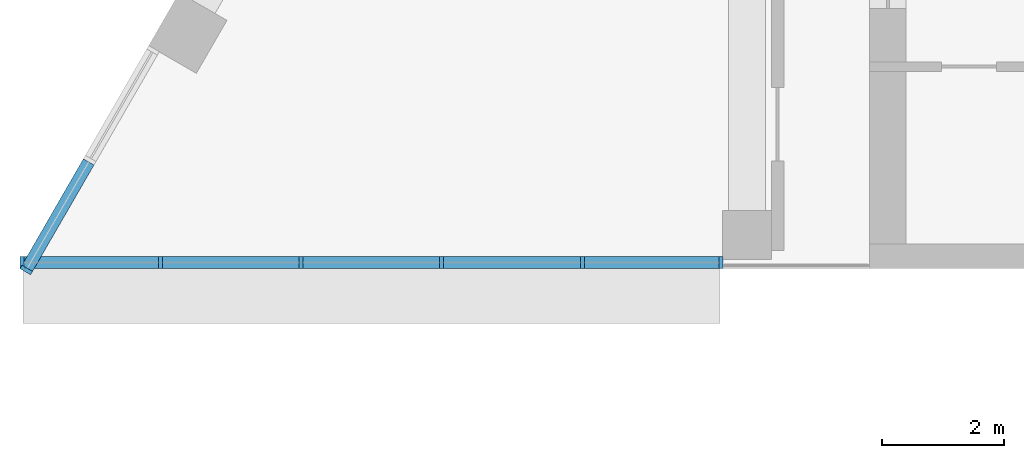
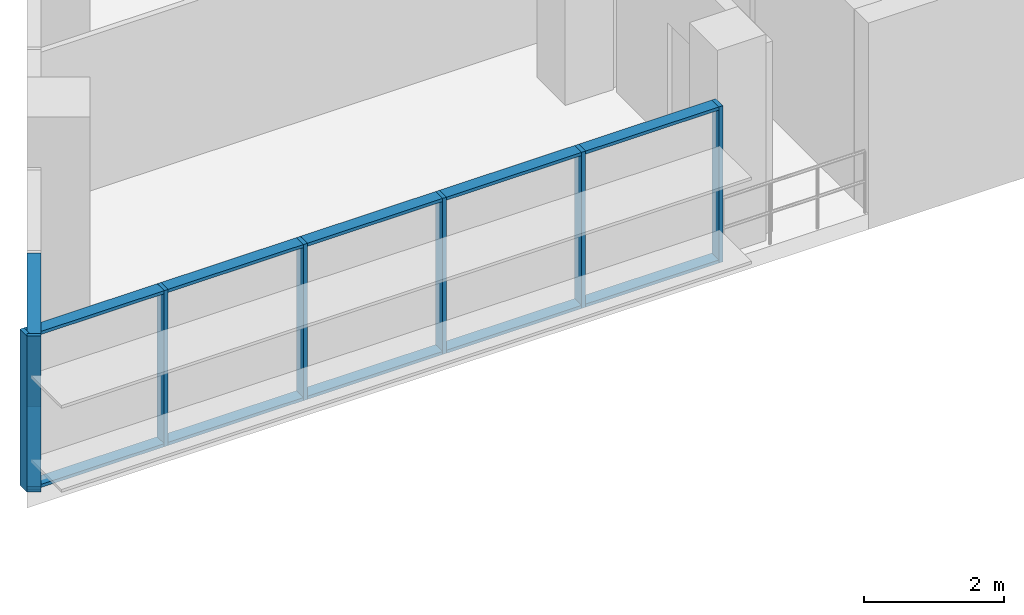
# One storey, part 2 of 13: 19 members, 2 elements without a shape of their own.
"""IFC4 building model written with IfcOpenShell, lengths in metres."""

from ifc_helpers import new_model, si_unit, direction, frame, origin, origin_2d, place, context, subcontext, project, spatial, rectangle, extrude, material, layer, layer_set, material_profile, profile_set, type_object, element, aggregate, save


model = new_model("IFC4")

# Units and contexts
model_context = context("Model", 3, precision=1e-05, world=origin(), true_north=direction((0.0, 1.0)))
body_context = subcontext(model_context, "Body", "Model", "MODEL_VIEW")
ifc_project = project(units=[si_unit("LENGTHUNIT", "METRE"), si_unit("AREAUNIT", "SQUARE_METRE"), si_unit("VOLUMEUNIT", "CUBIC_METRE"), si_unit("PLANEANGLEUNIT", "RADIAN"), si_unit("MASSUNIT", "GRAM", prefix="KILO")], contexts=[model_context])

# Site, building, storey
site_placement = place(None, origin())
site = spatial("IfcSite", under=ifc_project, at=site_placement, CompositionType="ELEMENT")
building_placement = place(site_placement, origin())
building = spatial("IfcBuilding", under=site, at=building_placement, Name="Nakaniwa Court", CompositionType="ELEMENT")
storey_placement = place(building_placement, frame((0.0, 0.0, 286.800048828125)))
storey = spatial("IfcBuildingStorey", under=building, at=storey_placement, Name="C05", CompositionType="ELEMENT", Elevation=286.800048828125)

# Curtain wall, member
ifc_material_1 = material(Name="Black anodised aluminium frame with dark low-E laminated double glazing", Category="aluminium")
ifc_layer = layer(ifc_material_1, 0.199951171875)
ifc_layer_set = layer_set([ifc_layer], Name="Black anodised aluminium frame with dark low-E laminated double glazing")
curtain_wall_type = type_object("IfcCurtainWallType", Name="Crown curtain wall", PredefinedType="NOTDEFINED", material=ifc_layer_set)
curtain_wall_1_placement = place(storey_placement, origin())
curtain_wall_1 = element("IfcCurtainWall", 1, at=curtain_wall_1_placement, inside=storey, type_object=curtain_wall_type, Name="C05 curtain wall CW4 15", PredefinedType="NOTDEFINED")
ifc_material_2 = material(Name="Black anodised aluminium extrusion", Category="aluminium")
ifc_material_profile_1 = material_profile(ifc_material_2, rectangle(XDim=0.199951171875, YDim=0.06494140625, at=origin_2d()), Name="Crown curtain wall mullion 65x200")
ifc_profile_set_1 = profile_set([ifc_material_profile_1], Name="Black anodised aluminium extrusion")
member_type_1 = type_object("IfcMemberType", Name="Crown curtain wall mullion 65x200", PredefinedType="MULLION", material=ifc_profile_set_1)
member_1_placement = place(storey_placement, frame((58.22119140625, 87.378173828125, 0.0), z_axis=(0.0, 0.0, 1.0), x_axis=(0.866021000852, -0.500007626024, 0.0)))
member_1 = element("IfcMember", 2, at=member_1_placement, type_object=member_type_1, Name="CW4 mullion 3", PredefinedType="MULLION", context=body_context, shape_type="SweptSolid", body=[
    extrude(rectangle(XDim=0.199951171875, YDim=0.06494140625, at=origin_2d()), origin(), (0.0, 0.0, 1.0), 2.724853515625),
])

# Curtain wall, members
curtain_wall_2_placement = place(storey_placement, origin())
curtain_wall_2 = element("IfcCurtainWall", 3, at=curtain_wall_2_placement, inside=storey, type_object=curtain_wall_type, Name="C05 curtain wall CW4 16", PredefinedType="NOTDEFINED")
member_2_placement = place(storey_placement, frame((58.15087890625, 87.5, 0.0), z_axis=(0.0, 0.0, 1.0), x_axis=(0.0, 1.0, 0.0)))
member_2 = element("IfcMember", 4, at=member_2_placement, type_object=member_type_1, Name="CW4 mullion 1", PredefinedType="MULLION", context=body_context, shape_type="SweptSolid", body=[
    extrude(rectangle(XDim=0.199951171875, YDim=0.06494140625, at=origin_2d()), origin(), (0.0, 0.0, 1.0), 2.724853515625),
])
member_3_placement = place(storey_placement, frame((60.41552734375, 87.5, 0.0), z_axis=(0.0, 0.0, 1.0), x_axis=(0.0, 1.0, 0.0)))
member_3 = element("IfcMember", 5, at=member_3_placement, type_object=member_type_1, Name="CW4 mullion 2", PredefinedType="MULLION", context=body_context, shape_type="SweptSolid", body=[
    extrude(rectangle(XDim=0.199951171875, YDim=0.06494140625, at=origin_2d()), origin(), (0.0, 0.0, 1.0), 2.724853515625),
])
member_4_placement = place(storey_placement, frame((62.712646484375, 87.5, 0.0), z_axis=(0.0, 0.0, 1.0), x_axis=(0.0, 1.0, 0.0)))
member_4 = element("IfcMember", 6, at=member_4_placement, type_object=member_type_1, Name="CW4 mullion 3", PredefinedType="MULLION", context=body_context, shape_type="SweptSolid", body=[
    extrude(rectangle(XDim=0.199951171875, YDim=0.06494140625, at=origin_2d()), origin(), (0.0, 0.0, 1.0), 2.724853515625),
])
member_5_placement = place(storey_placement, frame((65.009765625, 87.5, 0.0), z_axis=(0.0, 0.0, 1.0), x_axis=(0.0, 1.0, 0.0)))
member_5 = element("IfcMember", 7, at=member_5_placement, type_object=member_type_1, Name="CW4 mullion 4", PredefinedType="MULLION", context=body_context, shape_type="SweptSolid", body=[
    extrude(rectangle(XDim=0.199951171875, YDim=0.06494140625, at=origin_2d()), origin(), (0.0, 0.0, 1.0), 2.724853515625),
])
member_6_placement = place(storey_placement, frame((67.306884765625, 87.5, 0.0), z_axis=(0.0, 0.0, 1.0), x_axis=(0.0, 1.0, 0.0)))
member_6 = element("IfcMember", 8, at=member_6_placement, type_object=member_type_1, Name="CW4 mullion 5", PredefinedType="MULLION", context=body_context, shape_type="SweptSolid", body=[
    extrude(rectangle(XDim=0.199951171875, YDim=0.06494140625, at=origin_2d()), origin(), (0.0, 0.0, 1.0), 2.724853515625),
])
member_7_placement = place(storey_placement, frame((69.571533203125, 87.5, 0.0), z_axis=(0.0, 0.0, 1.0), x_axis=(0.0, 1.0, 0.0)))
member_7 = element("IfcMember", 9, at=member_7_placement, type_object=member_type_1, Name="CW4 mullion 6", PredefinedType="MULLION", context=body_context, shape_type="SweptSolid", body=[
    extrude(rectangle(XDim=0.199951171875, YDim=0.06494140625, at=origin_2d()), origin(), (0.0, 0.0, 1.0), 2.724853515625),
])

# Member
ifc_material_profile_2 = material_profile(ifc_material_2, rectangle(XDim=0.199951171875, YDim=0.054931640625, at=origin_2d()), Name="Crown curtain wall transom 55x200")
ifc_profile_set_2 = profile_set([ifc_material_profile_2], Name="Black anodised aluminium extrusion")
member_type_2 = type_object("IfcMemberType", Name="Crown curtain wall transom 55x200", PredefinedType="USERDEFINED", material=ifc_profile_set_2)
member_8_placement = place(storey_placement, frame((59.240966796875, 89.14453125, 0.02734375), z_axis=(-0.499933044277, -0.866064057238, 0.0), x_axis=(0.866064057238, -0.499933044277, 0.0)))
member_8 = element("IfcMember", 10, at=member_8_placement, type_object=member_type_2, Name="CW4 transom 2.1", ObjectType="TRANSOM", PredefinedType="USERDEFINED", context=body_context, shape_type="SweptSolid", body=[
    extrude(rectangle(XDim=0.199951171875, YDim=0.054931640625, at=origin_2d()), origin(), (0.0, 0.0, 1.0), 2.007080078125),
])

member_9_placement = place(storey_placement, frame((59.240966796875, 89.14453125, 2.697509765625), z_axis=(-0.499933044277, -0.866064057238, 0.0), x_axis=(0.866064057238, -0.499933044277, 0.0)))
member_9 = element("IfcMember", 11, at=member_9_placement, type_object=member_type_2, Name="CW4 transom 2.2", ObjectType="TRANSOM", PredefinedType="USERDEFINED", context=body_context, shape_type="SweptSolid", body=[
    extrude(rectangle(XDim=0.199951171875, YDim=0.054931640625, at=origin_2d()), origin(), (0.0, 0.0, 1.0), 2.007080078125),
])

aggregate(curtain_wall_1, [member_1, member_8, member_9])

member_10_placement = place(storey_placement, frame((58.183349609375, 87.5, 0.02734375), z_axis=(1.0, 0.0, 0.0), x_axis=(0.0, 1.0, 0.0)))
member_10 = element("IfcMember", 12, at=member_10_placement, type_object=member_type_2, Name="CW4 transom 1.1", ObjectType="TRANSOM", PredefinedType="USERDEFINED", context=body_context, shape_type="SweptSolid", body=[
    extrude(rectangle(XDim=0.199951171875, YDim=0.054931640625, at=origin_2d()), origin(), (0.0, 0.0, 1.0), 2.19970703125),
])

member_11_placement = place(storey_placement, frame((58.183349609375, 87.5, 2.697509765625), z_axis=(1.0, 0.0, 0.0), x_axis=(0.0, 1.0, 0.0)))
member_11 = element("IfcMember", 13, at=member_11_placement, type_object=member_type_2, Name="CW4 transom 1.2", ObjectType="TRANSOM", PredefinedType="USERDEFINED", context=body_context, shape_type="SweptSolid", body=[
    extrude(rectangle(XDim=0.199951171875, YDim=0.054931640625, at=origin_2d()), origin(), (0.0, 0.0, 1.0), 2.19970703125),
])

member_12_placement = place(storey_placement, frame((60.447998046875, 87.5, 0.02734375), z_axis=(1.0, 0.0, 0.0), x_axis=(0.0, 1.0, 0.0)))
member_12 = element("IfcMember", 14, at=member_12_placement, type_object=member_type_2, Name="CW4 transom 2.1", ObjectType="TRANSOM", PredefinedType="USERDEFINED", context=body_context, shape_type="SweptSolid", body=[
    extrude(rectangle(XDim=0.199951171875, YDim=0.054931640625, at=origin_2d()), origin(), (0.0, 0.0, 1.0), 2.232177734375),
])

member_13_placement = place(storey_placement, frame((60.447998046875, 87.5, 2.697509765625), z_axis=(1.0, 0.0, 0.0), x_axis=(0.0, 1.0, 0.0)))
member_13 = element("IfcMember", 15, at=member_13_placement, type_object=member_type_2, Name="CW4 transom 2.2", ObjectType="TRANSOM", PredefinedType="USERDEFINED", context=body_context, shape_type="SweptSolid", body=[
    extrude(rectangle(XDim=0.199951171875, YDim=0.054931640625, at=origin_2d()), origin(), (0.0, 0.0, 1.0), 2.232177734375),
])

member_14_placement = place(storey_placement, frame((62.7451171875, 87.5, 0.02734375), z_axis=(1.0, 0.0, 0.0), x_axis=(0.0, 1.0, 0.0)))
member_14 = element("IfcMember", 16, at=member_14_placement, type_object=member_type_2, Name="CW4 transom 3.1", ObjectType="TRANSOM", PredefinedType="USERDEFINED", context=body_context, shape_type="SweptSolid", body=[
    extrude(rectangle(XDim=0.199951171875, YDim=0.054931640625, at=origin_2d()), origin(), (0.0, 0.0, 1.0), 2.232177734375),
])

member_15_placement = place(storey_placement, frame((62.7451171875, 87.5, 2.697509765625), z_axis=(1.0, 0.0, 0.0), x_axis=(0.0, 1.0, 0.0)))
member_15 = element("IfcMember", 17, at=member_15_placement, type_object=member_type_2, Name="CW4 transom 3.2", ObjectType="TRANSOM", PredefinedType="USERDEFINED", context=body_context, shape_type="SweptSolid", body=[
    extrude(rectangle(XDim=0.199951171875, YDim=0.054931640625, at=origin_2d()), origin(), (0.0, 0.0, 1.0), 2.232177734375),
])

member_16_placement = place(storey_placement, frame((65.042236328125, 87.5, 0.02734375), z_axis=(1.0, 0.0, 0.0), x_axis=(0.0, 1.0, 0.0)))
member_16 = element("IfcMember", 18, at=member_16_placement, type_object=member_type_2, Name="CW4 transom 4.1", ObjectType="TRANSOM", PredefinedType="USERDEFINED", context=body_context, shape_type="SweptSolid", body=[
    extrude(rectangle(XDim=0.199951171875, YDim=0.054931640625, at=origin_2d()), origin(), (0.0, 0.0, 1.0), 2.232177734375),
])

member_17_placement = place(storey_placement, frame((65.042236328125, 87.5, 2.697509765625), z_axis=(1.0, 0.0, 0.0), x_axis=(0.0, 1.0, 0.0)))
member_17 = element("IfcMember", 19, at=member_17_placement, type_object=member_type_2, Name="CW4 transom 4.2", ObjectType="TRANSOM", PredefinedType="USERDEFINED", context=body_context, shape_type="SweptSolid", body=[
    extrude(rectangle(XDim=0.199951171875, YDim=0.054931640625, at=origin_2d()), origin(), (0.0, 0.0, 1.0), 2.232177734375),
])

member_18_placement = place(storey_placement, frame((67.33935546875, 87.5, 0.02734375), z_axis=(1.0, 0.0, 0.0), x_axis=(0.0, 1.0, 0.0)))
member_18 = element("IfcMember", 20, at=member_18_placement, type_object=member_type_2, Name="CW4 transom 5.1", ObjectType="TRANSOM", PredefinedType="USERDEFINED", context=body_context, shape_type="SweptSolid", body=[
    extrude(rectangle(XDim=0.199951171875, YDim=0.054931640625, at=origin_2d()), origin(), (0.0, 0.0, 1.0), 2.19970703125),
])

member_19_placement = place(storey_placement, frame((67.33935546875, 87.5, 2.697509765625), z_axis=(1.0, 0.0, 0.0), x_axis=(0.0, 1.0, 0.0)))
member_19 = element("IfcMember", 21, at=member_19_placement, type_object=member_type_2, Name="CW4 transom 5.2", ObjectType="TRANSOM", PredefinedType="USERDEFINED", context=body_context, shape_type="SweptSolid", body=[
    extrude(rectangle(XDim=0.199951171875, YDim=0.054931640625, at=origin_2d()), origin(), (0.0, 0.0, 1.0), 2.19970703125),
])

aggregate(curtain_wall_2, [member_2, member_3, member_4, member_5, member_6, member_7, member_10, member_11, member_12, member_13, member_14, member_15, member_16, member_17, member_18, member_19])

save(model, "model.ifc")
